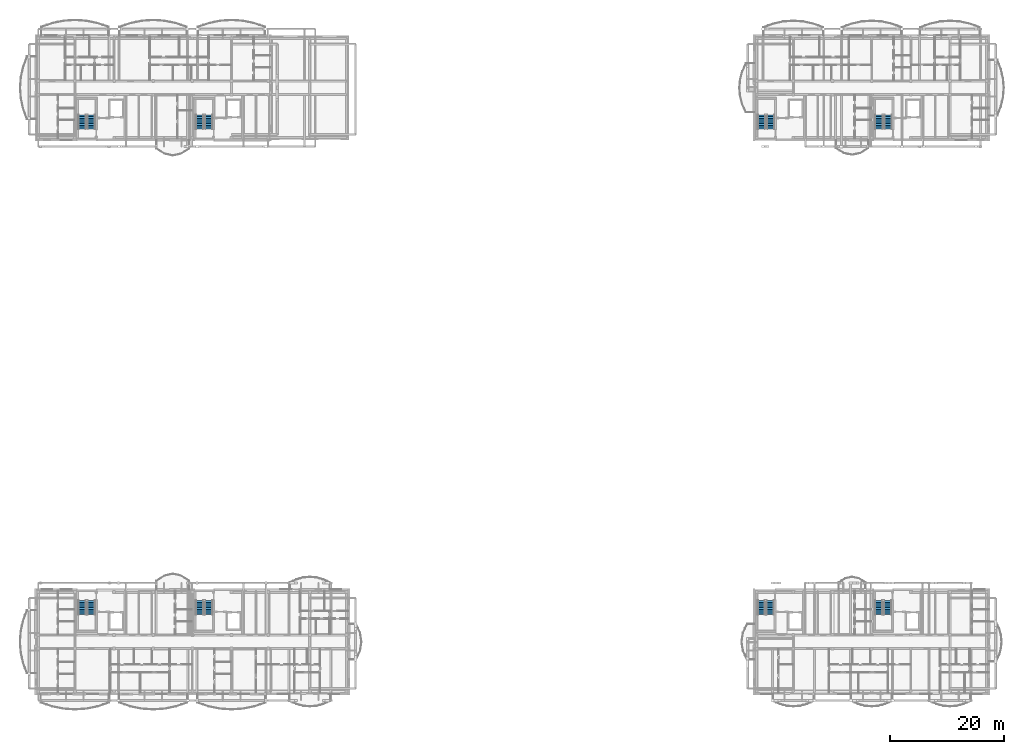
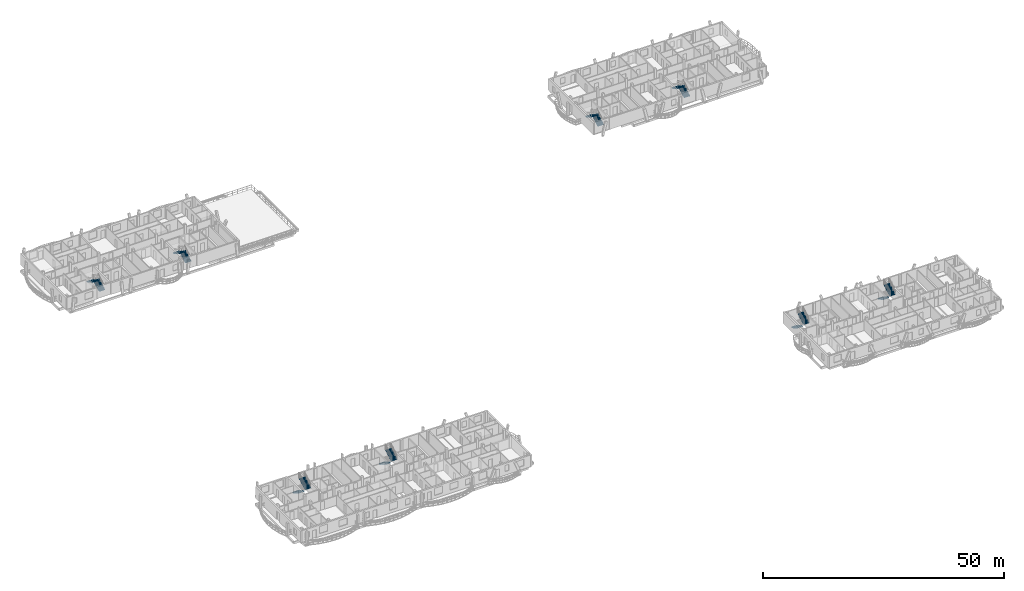
# One storey, part 32 of 42: 16 stair flights, 8 elements without a shape of their own.
"""IFC4 building model written with IfcOpenShell, lengths in metres."""

from ifc_helpers import new_model, si_unit, direction, frame, origin, place, context, subcontext, project, spatial, polyline, outline, extrude, material, type_object, element, aggregate, save


model = new_model("IFC4")

# Units and contexts
model_context = context("Model", 3, precision=1e-05, world=origin(), true_north=direction((0.0, 1.0)))
body_context = subcontext(model_context, "Body", "Model", "MODEL_VIEW")
ifc_project = project(units=[si_unit("LENGTHUNIT", "METRE"), si_unit("AREAUNIT", "SQUARE_METRE"), si_unit("VOLUMEUNIT", "CUBIC_METRE"), si_unit("PLANEANGLEUNIT", "RADIAN"), si_unit("MASSUNIT", "GRAM", prefix="KILO")], contexts=[model_context])

# Site, building, storey
site_placement = place(None, origin())
site = spatial("IfcSite", under=ifc_project, at=site_placement, CompositionType="ELEMENT")
building_placement = place(site_placement, origin())
building = spatial("IfcBuilding", under=site, at=building_placement, Name="Zavelmont Quarter", CompositionType="ELEMENT")
storey_placement = place(building_placement, frame((0.0, 0.0, 24.0)))
storey = spatial("IfcBuildingStorey", under=building, at=storey_placement, Name="L07", CompositionType="ELEMENT", Elevation=24.0)

# Stair, stair flights
ifc_material = material(Name="Concrete C35/45", Category="concrete")
stair_type_1 = type_object("IfcStairType", Name="STR-1350-1778", PredefinedType="HALF_TURN_STAIR", material=ifc_material)
stair_1_placement = place(storey_placement, origin())
stair_1 = element("IfcStair", 1, at=stair_1_placement, inside=storey, type_object=stair_type_1, Name="L07 protected stair ST07", PredefinedType="HALF_TURN_STAIR")
stair_flight_type_1 = type_object("IfcStairFlightType", Name="STF-1350-1778", PredefinedType="STRAIGHT", material=ifc_material)
stair_flight_1_placement = place(storey_placement, frame((127.875, 16.449951171875, 0.0), z_axis=(0.0, 0.0, 1.0), x_axis=(0.0, -1.0, 0.0)))
stair_flight_1 = element("IfcStairFlight", 2, at=stair_flight_1_placement, type_object=stair_flight_type_1, Name="ST07 flight 1", NumberOfRisers=9, NumberOfTreads=8, PredefinedType="STRAIGHT", RiserHeight=0.177777778, TreadLength=0.31, context=body_context, shape_type="SweptSolid", body=[
    extrude(outline(polyline([(0.0, 0.0), (0.0, 0.177734375), (0.31005859375, 0.177734375), (0.31005859375, 0.35546875), (0.6201171875, 0.35546875), (0.6201171875, 0.533447265625), (0.929931640625, 0.533447265625), (0.929931640625, 0.711181640625), (1.239990234375, 0.711181640625), (1.239990234375, 0.888916015625), (1.550048828125, 0.888916015625), (1.550048828125, 1.066650390625), (1.860107421875, 1.066650390625), (1.860107421875, 1.244384765625), (2.169921875, 1.244384765625), (2.169921875, 1.422119140625), (2.47998046875, 1.422119140625), (2.47998046875, 1.60009765625), (2.47998046875, 1.23779296875), (0.321533203125, 0.0), (0.0, 0.0)])), frame((0.0, 0.675048828125, 0.0), z_axis=(0.0, -1.0, 0.0), x_axis=(1.0, 0.0, 0.0)), (0.0, 0.0, 1.0), 1.35009765625),
])
stair_flight_2_placement = place(storey_placement, frame((129.425048828125, 13.969970703125, 1.60009765625), z_axis=(0.0, 0.0, 1.0), x_axis=(0.0, 1.0, 0.0)))
stair_flight_2 = element("IfcStairFlight", 3, at=stair_flight_2_placement, type_object=stair_flight_type_1, Name="ST07 flight 2", NumberOfRisers=9, NumberOfTreads=8, PredefinedType="STRAIGHT", RiserHeight=0.177777778, TreadLength=0.31, context=body_context, shape_type="SweptSolid", body=[
    extrude(outline(polyline([(0.0, 0.0), (0.0, 0.177734375), (0.31005859375, 0.177734375), (0.31005859375, 0.35546875), (0.6201171875, 0.35546875), (0.6201171875, 0.533447265625), (0.929931640625, 0.533447265625), (0.929931640625, 0.711181640625), (1.239990234375, 0.711181640625), (1.239990234375, 0.888916015625), (1.550048828125, 0.888916015625), (1.550048828125, 1.066650390625), (1.860107421875, 1.066650390625), (1.860107421875, 1.244384765625), (2.169921875, 1.244384765625), (2.169921875, 1.422119140625), (2.47998046875, 1.422119140625), (2.47998046875, 1.60009765625), (2.47998046875, 1.23779296875), (0.321533203125, 0.0), (0.0, 0.0)])), frame((0.0, 0.675048828125, 0.0), z_axis=(0.0, -1.0, 0.0), x_axis=(1.0, 0.0, 0.0)), (0.0, 0.0, 1.0), 1.35009765625),
])
aggregate(stair_1, [stair_flight_1, stair_flight_2])

stair_2_placement = place(storey_placement, origin())
stair_2 = element("IfcStair", 4, at=stair_2_placement, inside=storey, type_object=stair_type_1, Name="L07 protected stair ST08", PredefinedType="HALF_TURN_STAIR")
stair_flight_3_placement = place(storey_placement, frame((148.574951171875, 16.449951171875, 0.0), z_axis=(0.0, 0.0, 1.0), x_axis=(0.0, -1.0, 0.0)))
stair_flight_3 = element("IfcStairFlight", 5, at=stair_flight_3_placement, type_object=stair_flight_type_1, Name="ST08 flight 1", NumberOfRisers=9, NumberOfTreads=8, PredefinedType="STRAIGHT", RiserHeight=0.177777778, TreadLength=0.31, context=body_context, shape_type="SweptSolid", body=[
    extrude(outline(polyline([(0.0, 0.0), (0.0, 0.177734375), (0.31005859375, 0.177734375), (0.31005859375, 0.35546875), (0.6201171875, 0.35546875), (0.6201171875, 0.533447265625), (0.929931640625, 0.533447265625), (0.929931640625, 0.711181640625), (1.239990234375, 0.711181640625), (1.239990234375, 0.888916015625), (1.550048828125, 0.888916015625), (1.550048828125, 1.066650390625), (1.860107421875, 1.066650390625), (1.860107421875, 1.244384765625), (2.169921875, 1.244384765625), (2.169921875, 1.422119140625), (2.47998046875, 1.422119140625), (2.47998046875, 1.60009765625), (2.47998046875, 1.23779296875), (0.321533203125, 0.0), (0.0, 0.0)])), frame((0.0, 0.675048828125, 0.0), z_axis=(0.0, -1.0, 0.0), x_axis=(1.0, 0.0, 0.0)), (0.0, 0.0, 1.0), 1.35009765625),
])
stair_flight_4_placement = place(storey_placement, frame((150.125, 13.969970703125, 1.60009765625), z_axis=(0.0, 0.0, 1.0), x_axis=(0.0, 1.0, 0.0)))
stair_flight_4 = element("IfcStairFlight", 6, at=stair_flight_4_placement, type_object=stair_flight_type_1, Name="ST08 flight 2", NumberOfRisers=9, NumberOfTreads=8, PredefinedType="STRAIGHT", RiserHeight=0.177777778, TreadLength=0.31, context=body_context, shape_type="SweptSolid", body=[
    extrude(outline(polyline([(0.0, 0.0), (0.0, 0.177734375), (0.31005859375, 0.177734375), (0.31005859375, 0.35546875), (0.6201171875, 0.35546875), (0.6201171875, 0.533447265625), (0.929931640625, 0.533447265625), (0.929931640625, 0.711181640625), (1.239990234375, 0.711181640625), (1.239990234375, 0.888916015625), (1.550048828125, 0.888916015625), (1.550048828125, 1.066650390625), (1.860107421875, 1.066650390625), (1.860107421875, 1.244384765625), (2.169921875, 1.244384765625), (2.169921875, 1.422119140625), (2.47998046875, 1.422119140625), (2.47998046875, 1.60009765625), (2.47998046875, 1.23779296875), (0.321533203125, 0.0), (0.0, 0.0)])), frame((0.0, 0.675048828125, 0.0), z_axis=(0.0, -1.0, 0.0), x_axis=(1.0, 0.0, 0.0)), (0.0, 0.0, 1.0), 1.35009765625),
])
aggregate(stair_2, [stair_flight_3, stair_flight_4])

stair_type_2 = type_object("IfcStairType", Name="STR-1400-1778", PredefinedType="HALF_TURN_STAIR", material=ifc_material)
stair_3_placement = place(storey_placement, origin())
stair_3 = element("IfcStair", 7, at=stair_3_placement, inside=storey, type_object=stair_type_2, Name="L07 protected stair ST01", PredefinedType="HALF_TURN_STAIR")
stair_flight_type_2 = type_object("IfcStairFlightType", Name="STF-1400-1778", PredefinedType="STRAIGHT", material=ifc_material)
stair_flight_5_placement = place(storey_placement, frame((8.199951171875, 16.449951171875, 0.0), z_axis=(0.0, 0.0, 1.0), x_axis=(0.0, -1.0, 0.0)))
stair_flight_5 = element("IfcStairFlight", 8, at=stair_flight_5_placement, type_object=stair_flight_type_2, Name="ST01 flight 1", NumberOfRisers=9, NumberOfTreads=8, PredefinedType="STRAIGHT", RiserHeight=0.177777778, TreadLength=0.31, context=body_context, shape_type="SweptSolid", body=[
    extrude(outline(polyline([(0.0, 0.0), (0.0, 0.177734375), (0.31005859375, 0.177734375), (0.31005859375, 0.35546875), (0.6201171875, 0.35546875), (0.6201171875, 0.533447265625), (0.929931640625, 0.533447265625), (0.929931640625, 0.711181640625), (1.239990234375, 0.711181640625), (1.239990234375, 0.888916015625), (1.550048828125, 0.888916015625), (1.550048828125, 1.066650390625), (1.860107421875, 1.066650390625), (1.860107421875, 1.244384765625), (2.169921875, 1.244384765625), (2.169921875, 1.422119140625), (2.47998046875, 1.422119140625), (2.47998046875, 1.60009765625), (2.47998046875, 1.23779296875), (0.321533203125, 0.0), (0.0, 0.0)])), frame((0.0, 0.699951171875, 0.0), z_axis=(0.0, -1.0, 0.0), x_axis=(1.0, 0.0, 0.0)), (0.0, 0.0, 1.0), 1.39990234375),
])
stair_flight_6_placement = place(storey_placement, frame((9.800048828125, 13.969970703125, 1.60009765625), z_axis=(0.0, 0.0, 1.0), x_axis=(0.0, 1.0, 0.0)))
stair_flight_6 = element("IfcStairFlight", 9, at=stair_flight_6_placement, type_object=stair_flight_type_2, Name="ST01 flight 2", NumberOfRisers=9, NumberOfTreads=8, PredefinedType="STRAIGHT", RiserHeight=0.177777778, TreadLength=0.31, context=body_context, shape_type="SweptSolid", body=[
    extrude(outline(polyline([(0.0, 0.0), (0.0, 0.177734375), (0.31005859375, 0.177734375), (0.31005859375, 0.35546875), (0.6201171875, 0.35546875), (0.6201171875, 0.533447265625), (0.929931640625, 0.533447265625), (0.929931640625, 0.711181640625), (1.239990234375, 0.711181640625), (1.239990234375, 0.888916015625), (1.550048828125, 0.888916015625), (1.550048828125, 1.066650390625), (1.860107421875, 1.066650390625), (1.860107421875, 1.244384765625), (2.169921875, 1.244384765625), (2.169921875, 1.422119140625), (2.47998046875, 1.422119140625), (2.47998046875, 1.60009765625), (2.47998046875, 1.23779296875), (0.321533203125, 0.0), (0.0, 0.0)])), frame((0.0, 0.699951171875, 0.0), z_axis=(0.0, -1.0, 0.0), x_axis=(1.0, 0.0, 0.0)), (0.0, 0.0, 1.0), 1.39990234375),
])
aggregate(stair_3, [stair_flight_5, stair_flight_6])

stair_4_placement = place(storey_placement, origin())
stair_4 = element("IfcStair", 10, at=stair_4_placement, inside=storey, type_object=stair_type_2, Name="L07 protected stair ST02", PredefinedType="HALF_TURN_STAIR")
stair_flight_7_placement = place(storey_placement, frame((28.89990234375, 16.449951171875, 0.0), z_axis=(0.0, 0.0, 1.0), x_axis=(0.0, -1.0, 0.0)))
stair_flight_7 = element("IfcStairFlight", 11, at=stair_flight_7_placement, type_object=stair_flight_type_2, Name="ST02 flight 1", NumberOfRisers=9, NumberOfTreads=8, PredefinedType="STRAIGHT", RiserHeight=0.177777778, TreadLength=0.31, context=body_context, shape_type="SweptSolid", body=[
    extrude(outline(polyline([(0.0, 0.0), (0.0, 0.177734375), (0.31005859375, 0.177734375), (0.31005859375, 0.35546875), (0.6201171875, 0.35546875), (0.6201171875, 0.533447265625), (0.929931640625, 0.533447265625), (0.929931640625, 0.711181640625), (1.239990234375, 0.711181640625), (1.239990234375, 0.888916015625), (1.550048828125, 0.888916015625), (1.550048828125, 1.066650390625), (1.860107421875, 1.066650390625), (1.860107421875, 1.244384765625), (2.169921875, 1.244384765625), (2.169921875, 1.422119140625), (2.47998046875, 1.422119140625), (2.47998046875, 1.60009765625), (2.47998046875, 1.23779296875), (0.321533203125, 0.0), (0.0, 0.0)])), frame((0.0, 0.699951171875, 0.0), z_axis=(0.0, -1.0, 0.0), x_axis=(1.0, 0.0, 0.0)), (0.0, 0.0, 1.0), 1.39990234375),
])
stair_flight_8_placement = place(storey_placement, frame((30.5, 13.969970703125, 1.60009765625), z_axis=(0.0, 0.0, 1.0), x_axis=(0.0, 1.0, 0.0)))
stair_flight_8 = element("IfcStairFlight", 12, at=stair_flight_8_placement, type_object=stair_flight_type_2, Name="ST02 flight 2", NumberOfRisers=9, NumberOfTreads=8, PredefinedType="STRAIGHT", RiserHeight=0.177777778, TreadLength=0.31, context=body_context, shape_type="SweptSolid", body=[
    extrude(outline(polyline([(0.0, 0.0), (0.0, 0.177734375), (0.31005859375, 0.177734375), (0.31005859375, 0.35546875), (0.6201171875, 0.35546875), (0.6201171875, 0.533447265625), (0.929931640625, 0.533447265625), (0.929931640625, 0.711181640625), (1.239990234375, 0.711181640625), (1.239990234375, 0.888916015625), (1.550048828125, 0.888916015625), (1.550048828125, 1.066650390625), (1.860107421875, 1.066650390625), (1.860107421875, 1.244384765625), (2.169921875, 1.244384765625), (2.169921875, 1.422119140625), (2.47998046875, 1.422119140625), (2.47998046875, 1.60009765625), (2.47998046875, 1.23779296875), (0.321533203125, 0.0), (0.0, 0.0)])), frame((0.0, 0.699951171875, 0.0), z_axis=(0.0, -1.0, 0.0), x_axis=(1.0, 0.0, 0.0)), (0.0, 0.0, 1.0), 1.39990234375),
])
aggregate(stair_4, [stair_flight_7, stair_flight_8])

stair_5_placement = place(storey_placement, origin())
stair_5 = element("IfcStair", 13, at=stair_5_placement, inside=storey, type_object=stair_type_2, Name="L07 protected stair ST03", PredefinedType="HALF_TURN_STAIR")
stair_flight_9_placement = place(storey_placement, frame((9.800048828125, 99.550048828125, 0.0), z_axis=(0.0, 0.0, 1.0), x_axis=(0.0, 1.0, 0.0)))
stair_flight_9 = element("IfcStairFlight", 14, at=stair_flight_9_placement, type_object=stair_flight_type_2, Name="ST03 flight 1", NumberOfRisers=9, NumberOfTreads=8, PredefinedType="STRAIGHT", RiserHeight=0.177777778, TreadLength=0.31, context=body_context, shape_type="SweptSolid", body=[
    extrude(outline(polyline([(0.0, 0.0), (0.0, 0.177734375), (0.31005859375, 0.177734375), (0.31005859375, 0.35546875), (0.6201171875, 0.35546875), (0.6201171875, 0.533447265625), (0.929931640625, 0.533447265625), (0.929931640625, 0.711181640625), (1.239990234375, 0.711181640625), (1.239990234375, 0.888916015625), (1.550048828125, 0.888916015625), (1.550048828125, 1.066650390625), (1.860107421875, 1.066650390625), (1.860107421875, 1.244384765625), (2.169921875, 1.244384765625), (2.169921875, 1.422119140625), (2.47998046875, 1.422119140625), (2.47998046875, 1.60009765625), (2.47998046875, 1.23779296875), (0.321533203125, 0.0), (0.0, 0.0)])), frame((0.0, 0.699951171875, 0.0), z_axis=(0.0, -1.0, 0.0), x_axis=(1.0, 0.0, 0.0)), (0.0, 0.0, 1.0), 1.39990234375),
])
stair_flight_10_placement = place(storey_placement, frame((8.199951171875, 102.030029296875, 1.60009765625), z_axis=(0.0, 0.0, 1.0), x_axis=(0.0, -1.0, 0.0)))
stair_flight_10 = element("IfcStairFlight", 15, at=stair_flight_10_placement, type_object=stair_flight_type_2, Name="ST03 flight 2", NumberOfRisers=9, NumberOfTreads=8, PredefinedType="STRAIGHT", RiserHeight=0.177777778, TreadLength=0.31, context=body_context, shape_type="SweptSolid", body=[
    extrude(outline(polyline([(0.0, 0.0), (0.0, 0.177734375), (0.31005859375, 0.177734375), (0.31005859375, 0.35546875), (0.6201171875, 0.35546875), (0.6201171875, 0.533447265625), (0.929931640625, 0.533447265625), (0.929931640625, 0.711181640625), (1.239990234375, 0.711181640625), (1.239990234375, 0.888916015625), (1.550048828125, 0.888916015625), (1.550048828125, 1.066650390625), (1.860107421875, 1.066650390625), (1.860107421875, 1.244384765625), (2.169921875, 1.244384765625), (2.169921875, 1.422119140625), (2.47998046875, 1.422119140625), (2.47998046875, 1.60009765625), (2.47998046875, 1.23779296875), (0.321533203125, 0.0), (0.0, 0.0)])), frame((0.0, 0.699951171875, 0.0), z_axis=(0.0, -1.0, 0.0), x_axis=(1.0, 0.0, 0.0)), (0.0, 0.0, 1.0), 1.39990234375),
])
aggregate(stair_5, [stair_flight_9, stair_flight_10])

stair_6_placement = place(storey_placement, origin())
stair_6 = element("IfcStair", 16, at=stair_6_placement, inside=storey, type_object=stair_type_2, Name="L07 protected stair ST04", PredefinedType="HALF_TURN_STAIR")
stair_flight_11_placement = place(storey_placement, frame((30.5, 99.550048828125, 0.0), z_axis=(0.0, 0.0, 1.0), x_axis=(0.0, 1.0, 0.0)))
stair_flight_11 = element("IfcStairFlight", 17, at=stair_flight_11_placement, type_object=stair_flight_type_2, Name="ST04 flight 1", NumberOfRisers=9, NumberOfTreads=8, PredefinedType="STRAIGHT", RiserHeight=0.177777778, TreadLength=0.31, context=body_context, shape_type="SweptSolid", body=[
    extrude(outline(polyline([(0.0, 0.0), (0.0, 0.177734375), (0.31005859375, 0.177734375), (0.31005859375, 0.35546875), (0.6201171875, 0.35546875), (0.6201171875, 0.533447265625), (0.929931640625, 0.533447265625), (0.929931640625, 0.711181640625), (1.239990234375, 0.711181640625), (1.239990234375, 0.888916015625), (1.550048828125, 0.888916015625), (1.550048828125, 1.066650390625), (1.860107421875, 1.066650390625), (1.860107421875, 1.244384765625), (2.169921875, 1.244384765625), (2.169921875, 1.422119140625), (2.47998046875, 1.422119140625), (2.47998046875, 1.60009765625), (2.47998046875, 1.23779296875), (0.321533203125, 0.0), (0.0, 0.0)])), frame((0.0, 0.699951171875, 0.0), z_axis=(0.0, -1.0, 0.0), x_axis=(1.0, 0.0, 0.0)), (0.0, 0.0, 1.0), 1.39990234375),
])
stair_flight_12_placement = place(storey_placement, frame((28.89990234375, 102.030029296875, 1.60009765625), z_axis=(0.0, 0.0, 1.0), x_axis=(0.0, -1.0, 0.0)))
stair_flight_12 = element("IfcStairFlight", 18, at=stair_flight_12_placement, type_object=stair_flight_type_2, Name="ST04 flight 2", NumberOfRisers=9, NumberOfTreads=8, PredefinedType="STRAIGHT", RiserHeight=0.177777778, TreadLength=0.31, context=body_context, shape_type="SweptSolid", body=[
    extrude(outline(polyline([(0.0, 0.0), (0.0, 0.177734375), (0.31005859375, 0.177734375), (0.31005859375, 0.35546875), (0.6201171875, 0.35546875), (0.6201171875, 0.533447265625), (0.929931640625, 0.533447265625), (0.929931640625, 0.711181640625), (1.239990234375, 0.711181640625), (1.239990234375, 0.888916015625), (1.550048828125, 0.888916015625), (1.550048828125, 1.066650390625), (1.860107421875, 1.066650390625), (1.860107421875, 1.244384765625), (2.169921875, 1.244384765625), (2.169921875, 1.422119140625), (2.47998046875, 1.422119140625), (2.47998046875, 1.60009765625), (2.47998046875, 1.23779296875), (0.321533203125, 0.0), (0.0, 0.0)])), frame((0.0, 0.699951171875, 0.0), z_axis=(0.0, -1.0, 0.0), x_axis=(1.0, 0.0, 0.0)), (0.0, 0.0, 1.0), 1.39990234375),
])
aggregate(stair_6, [stair_flight_11, stair_flight_12])

stair_7_placement = place(storey_placement, origin())
stair_7 = element("IfcStair", 19, at=stair_7_placement, inside=storey, type_object=stair_type_2, Name="L07 protected stair ST05", PredefinedType="HALF_TURN_STAIR")
stair_flight_13_placement = place(storey_placement, frame((129.5, 99.550048828125, 0.0), z_axis=(0.0, 0.0, 1.0), x_axis=(0.0, 1.0, 0.0)))
stair_flight_13 = element("IfcStairFlight", 20, at=stair_flight_13_placement, type_object=stair_flight_type_2, Name="ST05 flight 1", NumberOfRisers=9, NumberOfTreads=8, PredefinedType="STRAIGHT", RiserHeight=0.177777778, TreadLength=0.31, context=body_context, shape_type="SweptSolid", body=[
    extrude(outline(polyline([(0.0, 0.0), (0.0, 0.177734375), (0.31005859375, 0.177734375), (0.31005859375, 0.35546875), (0.6201171875, 0.35546875), (0.6201171875, 0.533447265625), (0.929931640625, 0.533447265625), (0.929931640625, 0.711181640625), (1.239990234375, 0.711181640625), (1.239990234375, 0.888916015625), (1.550048828125, 0.888916015625), (1.550048828125, 1.066650390625), (1.860107421875, 1.066650390625), (1.860107421875, 1.244384765625), (2.169921875, 1.244384765625), (2.169921875, 1.422119140625), (2.47998046875, 1.422119140625), (2.47998046875, 1.60009765625), (2.47998046875, 1.23779296875), (0.321533203125, 0.0), (0.0, 0.0)])), frame((0.0, 0.699951171875, 0.0), z_axis=(0.0, -1.0, 0.0), x_axis=(1.0, 0.0, 0.0)), (0.0, 0.0, 1.0), 1.39990234375),
])
stair_flight_14_placement = place(storey_placement, frame((127.89990234375, 102.030029296875, 1.60009765625), z_axis=(0.0, 0.0, 1.0), x_axis=(0.0, -1.0, 0.0)))
stair_flight_14 = element("IfcStairFlight", 21, at=stair_flight_14_placement, type_object=stair_flight_type_2, Name="ST05 flight 2", NumberOfRisers=9, NumberOfTreads=8, PredefinedType="STRAIGHT", RiserHeight=0.177777778, TreadLength=0.31, context=body_context, shape_type="SweptSolid", body=[
    extrude(outline(polyline([(0.0, 0.0), (0.0, 0.177734375), (0.31005859375, 0.177734375), (0.31005859375, 0.35546875), (0.6201171875, 0.35546875), (0.6201171875, 0.533447265625), (0.929931640625, 0.533447265625), (0.929931640625, 0.711181640625), (1.239990234375, 0.711181640625), (1.239990234375, 0.888916015625), (1.550048828125, 0.888916015625), (1.550048828125, 1.066650390625), (1.860107421875, 1.066650390625), (1.860107421875, 1.244384765625), (2.169921875, 1.244384765625), (2.169921875, 1.422119140625), (2.47998046875, 1.422119140625), (2.47998046875, 1.60009765625), (2.47998046875, 1.23779296875), (0.321533203125, 0.0), (0.0, 0.0)])), frame((0.0, 0.699951171875, 0.0), z_axis=(0.0, -1.0, 0.0), x_axis=(1.0, 0.0, 0.0)), (0.0, 0.0, 1.0), 1.39990234375),
])
aggregate(stair_7, [stair_flight_13, stair_flight_14])

stair_8_placement = place(storey_placement, origin())
stair_8 = element("IfcStair", 22, at=stair_8_placement, inside=storey, type_object=stair_type_2, Name="L07 protected stair ST06", PredefinedType="HALF_TURN_STAIR")
stair_flight_15_placement = place(storey_placement, frame((150.199951171875, 99.550048828125, 0.0), z_axis=(0.0, 0.0, 1.0), x_axis=(0.0, 1.0, 0.0)))
stair_flight_15 = element("IfcStairFlight", 23, at=stair_flight_15_placement, type_object=stair_flight_type_2, Name="ST06 flight 1", NumberOfRisers=9, NumberOfTreads=8, PredefinedType="STRAIGHT", RiserHeight=0.177777778, TreadLength=0.31, context=body_context, shape_type="SweptSolid", body=[
    extrude(outline(polyline([(0.0, 0.0), (0.0, 0.177734375), (0.31005859375, 0.177734375), (0.31005859375, 0.35546875), (0.6201171875, 0.35546875), (0.6201171875, 0.533447265625), (0.929931640625, 0.533447265625), (0.929931640625, 0.711181640625), (1.239990234375, 0.711181640625), (1.239990234375, 0.888916015625), (1.550048828125, 0.888916015625), (1.550048828125, 1.066650390625), (1.860107421875, 1.066650390625), (1.860107421875, 1.244384765625), (2.169921875, 1.244384765625), (2.169921875, 1.422119140625), (2.47998046875, 1.422119140625), (2.47998046875, 1.60009765625), (2.47998046875, 1.23779296875), (0.321533203125, 0.0), (0.0, 0.0)])), frame((0.0, 0.699951171875, 0.0), z_axis=(0.0, -1.0, 0.0), x_axis=(1.0, 0.0, 0.0)), (0.0, 0.0, 1.0), 1.39990234375),
])
stair_flight_16_placement = place(storey_placement, frame((148.60009765625, 102.030029296875, 1.60009765625), z_axis=(0.0, 0.0, 1.0), x_axis=(0.0, -1.0, 0.0)))
stair_flight_16 = element("IfcStairFlight", 24, at=stair_flight_16_placement, type_object=stair_flight_type_2, Name="ST06 flight 2", NumberOfRisers=9, NumberOfTreads=8, PredefinedType="STRAIGHT", RiserHeight=0.177777778, TreadLength=0.31, context=body_context, shape_type="SweptSolid", body=[
    extrude(outline(polyline([(0.0, 0.0), (0.0, 0.177734375), (0.31005859375, 0.177734375), (0.31005859375, 0.35546875), (0.6201171875, 0.35546875), (0.6201171875, 0.533447265625), (0.929931640625, 0.533447265625), (0.929931640625, 0.711181640625), (1.239990234375, 0.711181640625), (1.239990234375, 0.888916015625), (1.550048828125, 0.888916015625), (1.550048828125, 1.066650390625), (1.860107421875, 1.066650390625), (1.860107421875, 1.244384765625), (2.169921875, 1.244384765625), (2.169921875, 1.422119140625), (2.47998046875, 1.422119140625), (2.47998046875, 1.60009765625), (2.47998046875, 1.23779296875), (0.321533203125, 0.0), (0.0, 0.0)])), frame((0.0, 0.699951171875, 0.0), z_axis=(0.0, -1.0, 0.0), x_axis=(1.0, 0.0, 0.0)), (0.0, 0.0, 1.0), 1.39990234375),
])
aggregate(stair_8, [stair_flight_15, stair_flight_16])

save(model, "model.ifc")
